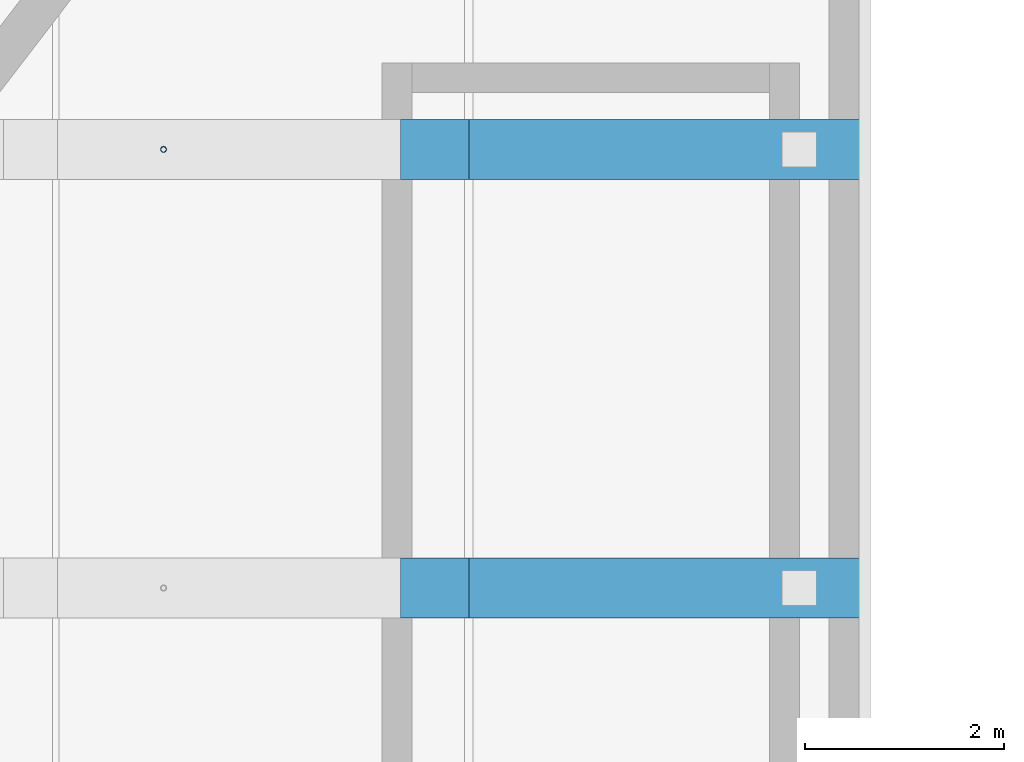
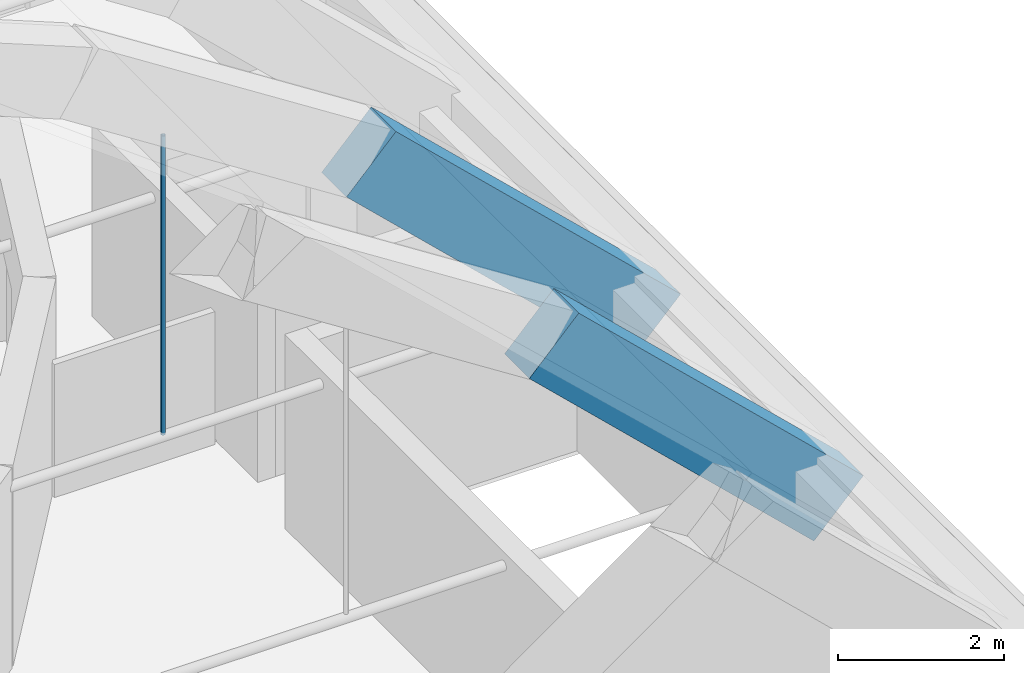
# One storey, part 37 of 94: 2 beams, 1 member.
"""IFC4 building model written with IfcOpenShell, lengths in metres."""

from ifc_helpers import new_model, si_unit, direction, frame, origin, origin_2d, place, context, subcontext, project, spatial, rectangle, hollow_circle, extrude, material, material_profile, profile_set, type_object, element, save


model = new_model("IFC4")

# Units and contexts
model_context = context("Model", 3, precision=1e-05, world=origin(), true_north=direction((0.0, 1.0)))
body_context = subcontext(model_context, "Body", "Model", "MODEL_VIEW")
ifc_project = project(units=[si_unit("LENGTHUNIT", "METRE"), si_unit("AREAUNIT", "SQUARE_METRE"), si_unit("VOLUMEUNIT", "CUBIC_METRE"), si_unit("PLANEANGLEUNIT", "RADIAN"), si_unit("MASSUNIT", "GRAM", prefix="KILO")], contexts=[model_context])

# Site, building, storey
site_placement = place(None, origin())
site = spatial("IfcSite", under=ifc_project, at=site_placement, CompositionType="ELEMENT")
building_placement = place(site_placement, origin())
building = spatial("IfcBuilding", under=site, at=building_placement, Name="Lunette Opera House", CompositionType="ELEMENT")
storey_placement = place(building_placement, frame((0.0, 0.0, 22.5)))
storey = spatial("IfcBuildingStorey", under=building, at=storey_placement, Name="L04", CompositionType="ELEMENT", Elevation=22.5)

# Beams
ifc_material_1 = material(Name="Concrete C40/50", Category="concrete")
ifc_material_profile_1 = material_profile(ifc_material_1, rectangle(XDim=0.60009765625, YDim=1.0, at=origin_2d()), Name="ARCH BEAM 600X1000")
ifc_profile_set_1 = profile_set([ifc_material_profile_1], Name="Concrete C40/50")
beam_type = type_object("IfcBeamType", Name="ARCH BEAM 600X1000", PredefinedType="BEAM", material=ifc_profile_set_1)
for number, where, z_axis, x_axis, name in (
    (1, (111.72998046875, 68.714111328125, 5.931884765625), (0.723596948656, 0.0, -0.69022275817), (0.0, 1.0, 0.0), "beam-AU-L04-EA2-9"),
    (2, (111.72998046875, 73.12890625, 5.931884765625), (0.723596948656, 0.0, -0.69022275817), (0.0, 1.0, 0.0), "beam-AU-L04-EA3-9"),
):
    element("IfcBeam", number, at=place(storey_placement, frame(where, z_axis=z_axis, x_axis=x_axis)), inside=storey, type_object=beam_type, Name=name, PredefinedType="BEAM", context=body_context, shape_type="SweptSolid", body=[
        extrude(rectangle(XDim=0.60009765625, YDim=1.0, at=origin_2d()), origin(), (0.0, 0.0, 1.0), 5.486328125),
    ])

# Member
ifc_material_2 = material(Name="Steel S355", Category="steel")
ifc_material_profile_2 = material_profile(ifc_material_2, hollow_circle(Radius=0.030029296875, WallThickness=0.00390625, at=origin_2d()), Name="CHS 60.3X4")
ifc_profile_set_2 = profile_set([ifc_material_profile_2], Name="Steel S355")
member_type = type_object("IfcMemberType", Name="CHS 60.3X4", PredefinedType="POST", material=ifc_profile_set_2)
member_placement = place(storey_placement, frame((109.0, 73.12890625, 2.72998046875), z_axis=(0.0, 0.0, 1.0), x_axis=(1.0, 0.0, 0.0)))
element("IfcMember", 3, at=member_placement, inside=storey, type_object=member_type, Name="mem-AU-L04-HG3-109", PredefinedType="POST", context=body_context, shape_type="SweptSolid", body=[
    extrude(hollow_circle(Radius=0.030029296875, WallThickness=0.00390625, at=origin_2d()), origin(), (0.0, 0.0, 1.0), 4.4111328125),
])

save(model, "model.ifc")
